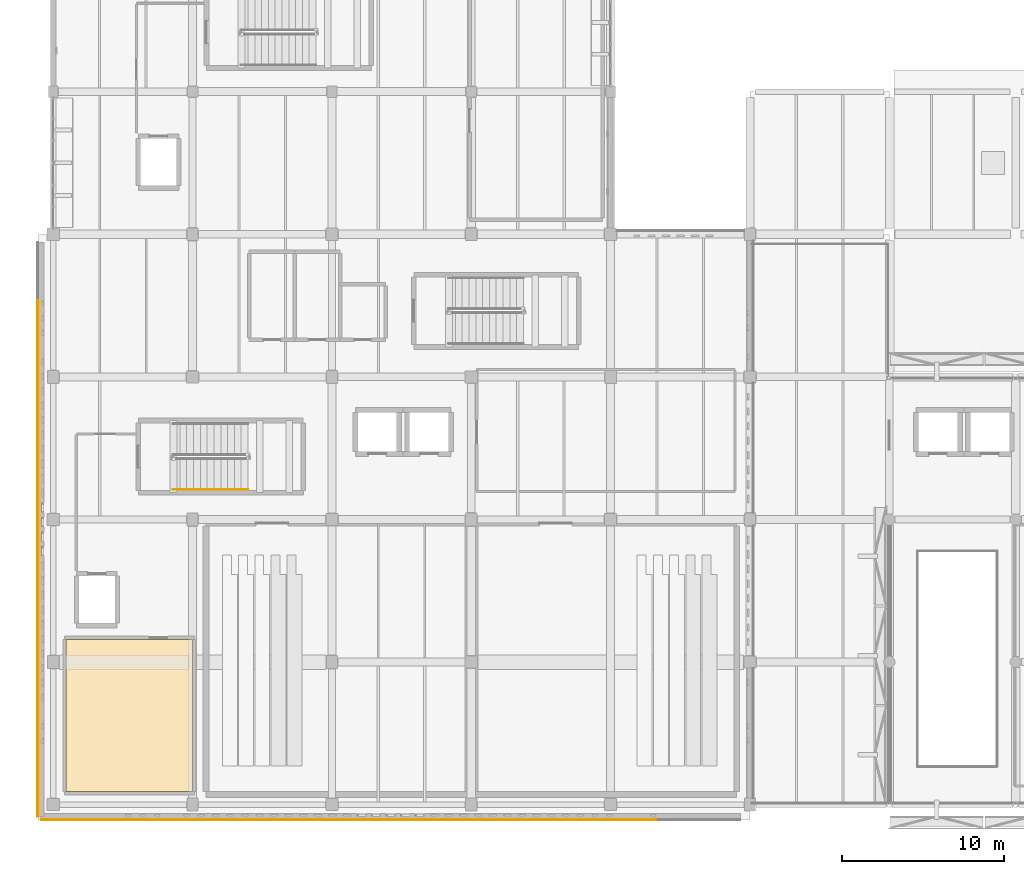
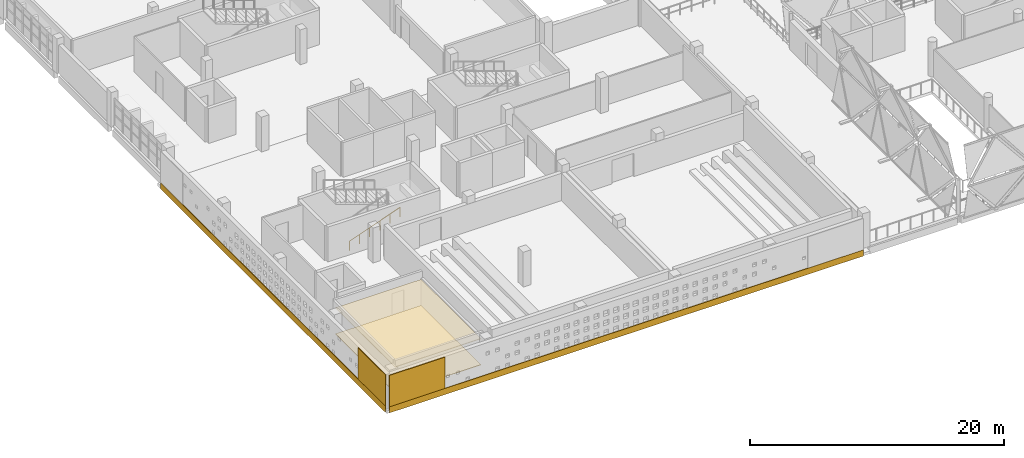
# One storey, part 85 of 93: 6 coverings, 1 railing.
"""IFC4 building model written with IfcOpenShell, lengths in metres."""

from ifc_helpers import new_model, si_unit, direction, frame, origin, origin_2d, place, context, subcontext, project, spatial, polyline, rectangle, circle, outline, extrude, material, layer, layer_set, type_object, element, save


model = new_model("IFC4")

# Units and contexts
model_context = context("Model", 3, precision=1e-05, world=origin(), true_north=direction((0.0, 1.0)))
body_context = subcontext(model_context, "Body", "Model", "MODEL_VIEW")
ifc_project = project(units=[si_unit("LENGTHUNIT", "METRE"), si_unit("AREAUNIT", "SQUARE_METRE"), si_unit("VOLUMEUNIT", "CUBIC_METRE"), si_unit("PLANEANGLEUNIT", "RADIAN"), si_unit("MASSUNIT", "GRAM", prefix="KILO")], contexts=[model_context])

# Site, building, storey
site_placement = place(None, origin())
site = spatial("IfcSite", under=ifc_project, at=site_placement, CompositionType="ELEMENT")
building_placement = place(site_placement, origin())
building = spatial("IfcBuilding", under=site, at=building_placement, Name="Varnakota Cinema and Media Centre", CompositionType="ELEMENT")
storey_placement = place(building_placement, frame((0.0, 0.0, 12.0)))
storey = spatial("IfcBuildingStorey", under=building, at=storey_placement, Name="L03", CompositionType="ELEMENT", Elevation=12.0)

# Coverings
ifc_material_1 = material(Name="Autoclaved aerated concrete blockwork", Category="masonry")
ifc_layer_1 = layer(ifc_material_1, 0.06005859375)
ifc_layer_set_1 = layer_set([ifc_layer_1], Name="Autoclaved aerated concrete blockwork")
covering_type_1 = type_object("IfcCoveringType", Name="COV-ACOUST-CEIL-60", PredefinedType="CEILING", material=ifc_layer_set_1)
covering_1_placement = place(storey_placement, frame((0.0, 0.0, 2.5)))
element("IfcCovering", 1, at=covering_1_placement, inside=storey, type_object=covering_type_1, Name="L03 Soundtrack Restoration Studio acoustic baffle ceiling", PredefinedType="CEILING", context=body_context, shape_type="SweptSolid", body=[
    extrude(outline(polyline([(0.800048828125, 0.800048828125), (8.60009765625, 0.800048828125), (8.60009765625, 10.199951171875), (0.800048828125, 10.199951171875), (0.800048828125, 0.800048828125)])), origin(), (0.0, 0.0, 1.0), 0.06005859375),
])
ifc_material_2 = material(Name="Deccan grey granite ashlar", Category="masonry")
ifc_layer_2 = layer(ifc_material_2, 0.044921875)
ifc_layer_set_2 = layer_set([ifc_layer_2], Name="Deccan grey granite ashlar")
covering_type_2 = type_object("IfcCoveringType", Name="COV-STUDIO-FLR-45", PredefinedType="FLOORING", material=ifc_layer_set_2)
covering_2_placement = place(storey_placement, origin())
element("IfcCovering", 2, at=covering_2_placement, inside=storey, type_object=covering_type_2, Name="L03 Soundtrack Restoration Studio isolated studio floor finish", PredefinedType="FLOORING", context=body_context, shape_type="SweptSolid", body=[
    extrude(outline(polyline([(0.800048828125, 0.800048828125), (8.60009765625, 0.800048828125), (8.60009765625, 10.199951171875), (0.800048828125, 10.199951171875), (0.800048828125, 0.800048828125)])), origin(), (0.0, 0.0, 1.0), 0.044921875),
])
ifc_material_3 = material(Name="Pale Tandur limestone cladding", Category="masonry")
ifc_layer_3 = layer(ifc_material_3, 0.06005859375)
ifc_layer_set_3 = layer_set([ifc_layer_3], Name="Pale Tandur limestone cladding")
covering_type_3 = type_object("IfcCoveringType", Name="COV-TANDUR-ASHLAR-60", PredefinedType="CLADDING", material=ifc_layer_set_3)
covering_3_placement = place(storey_placement, frame((20.830078125, -0.945068359375, -0.26025390625), z_axis=(0.0, 0.0, 1.0), x_axis=(-1.0, 0.0, 0.0)))
element("IfcCovering", 3, at=covering_3_placement, inside=storey, type_object=covering_type_3, Name="L03 V4 pale Tandur stone spandrel ashlar V4-S", PredefinedType="CLADDING", context=body_context, shape_type="SweptSolid", body=[
    extrude(rectangle(XDim=43.139892578125, YDim=0.06005859375, at=origin_2d()), origin(), (0.0, 0.0, 1.0), 0.590087890625),
])
covering_4_placement = place(storey_placement, frame((1.784912109375, -0.945068359375, 0.330078125), z_axis=(0.0, 0.0, 1.0), x_axis=(-1.0, 0.0, 0.0)))
element("IfcCovering", 4, at=covering_4_placement, inside=storey, type_object=covering_type_3, Name="L03 V4 pale Tandur stone right corner ashlar V4-S", PredefinedType="CLADDING", context=body_context, shape_type="SweptSolid", body=[
    extrude(rectangle(XDim=5.050048828125, YDim=0.06005859375, at=origin_2d()), origin(), (0.0, 0.0, 1.0), 3.02001953125),
])
covering_5_placement = place(storey_placement, frame((-0.945068359375, 16.97998046875, -0.26025390625), z_axis=(0.0, 0.0, 1.0), x_axis=(0.0, 1.0, 0.0)))
element("IfcCovering", 5, at=covering_5_placement, inside=storey, type_object=covering_type_3, Name="L03 V4 pale Tandur stone spandrel ashlar V4-W", PredefinedType="CLADDING", context=body_context, shape_type="SweptSolid", body=[
    extrude(rectangle(XDim=35.43994140625, YDim=0.06005859375, at=origin_2d()), origin(), (0.0, 0.0, 1.0), 0.590087890625),
])
covering_6_placement = place(storey_placement, frame((-0.945068359375, 1.43505859375, 0.330078125), z_axis=(0.0, 0.0, 1.0), x_axis=(0.0, 1.0, 0.0)))
element("IfcCovering", 6, at=covering_6_placement, inside=storey, type_object=covering_type_3, Name="L03 V4 pale Tandur stone left corner ashlar V4-W", PredefinedType="CLADDING", context=body_context, shape_type="SweptSolid", body=[
    extrude(rectangle(XDim=4.35009765625, YDim=0.06005859375, at=origin_2d()), origin(), (0.0, 0.0, 1.0), 3.02001953125),
])

# Railing
ifc_material_4 = material(Name="Structural steel Grade 350 (E350)", Category="steel")
ifc_layer_4 = layer(ifc_material_4, 0.048095703125)
ifc_layer_set_4 = layer_set([ifc_layer_4], Name="Structural steel Grade 350 (E350)")
railing_type = type_object("IfcRailingType", Name="RAIL-STAIR-HAND-900", PredefinedType="HANDRAIL", material=ifc_layer_set_4)
railing_placement = place(storey_placement, frame((7.39990234375, 19.449951171875, 0.14990234375)))
element("IfcRailing", 7, at=railing_placement, inside=storey, type_object=railing_type, Name="L03 ST-01 stair handrail 1", PredefinedType="HANDRAIL", context=body_context, shape_type="SweptSolid", body=[
    extrude(circle(Radius=0.02392578125, at=origin_2d()), frame((0.0, 0.0, 0.8759765625), z_axis=(0.941735156102, 0.0, 0.336355311778), x_axis=(0.0, 1.0, 0.0)), (0.0, 0.0, 1.0), 4.906005859375),
    extrude(circle(Radius=0.02099609375, at=origin_2d()), origin(), (0.0, 0.0, 1.0), 0.851806640625),
    extrude(circle(Radius=0.02099609375, at=origin_2d()), frame((0.924072265625, 0.0, 0.330078125)), (0.0, 0.0, 1.0), 0.851806640625),
    extrude(circle(Radius=0.02099609375, at=origin_2d()), frame((1.84814453125, 0.0, 0.66015625)), (0.0, 0.0, 1.0), 0.851806640625),
    extrude(circle(Radius=0.02099609375, at=origin_2d()), frame((2.77197265625, 0.0, 0.989990234375)), (0.0, 0.0, 1.0), 0.851806640625),
    extrude(circle(Radius=0.02099609375, at=origin_2d()), frame((3.696044921875, 0.0, 1.320068359375)), (0.0, 0.0, 1.0), 0.851806640625),
    extrude(circle(Radius=0.02099609375, at=origin_2d()), frame((4.6201171875, 0.0, 1.650146484375)), (0.0, 0.0, 1.0), 0.851806640625),
])

save(model, "model.ifc")
